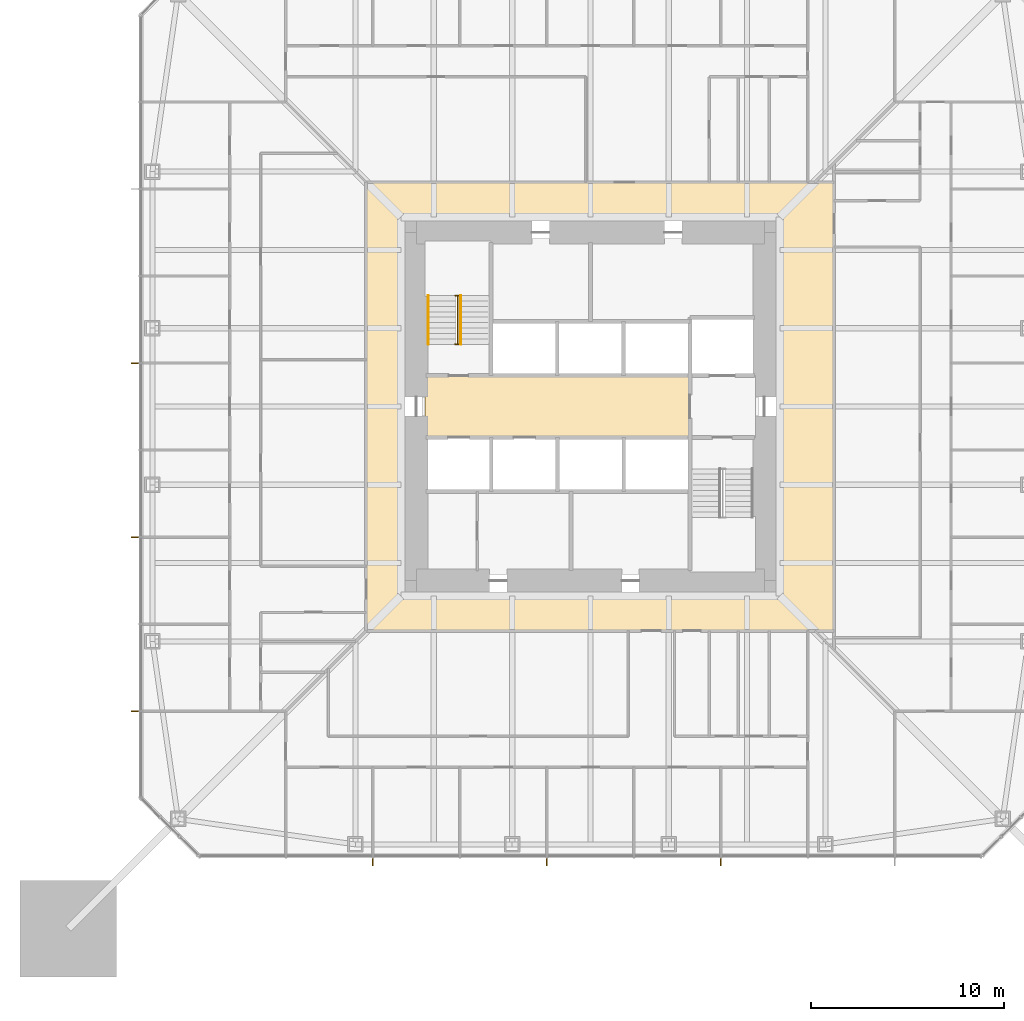
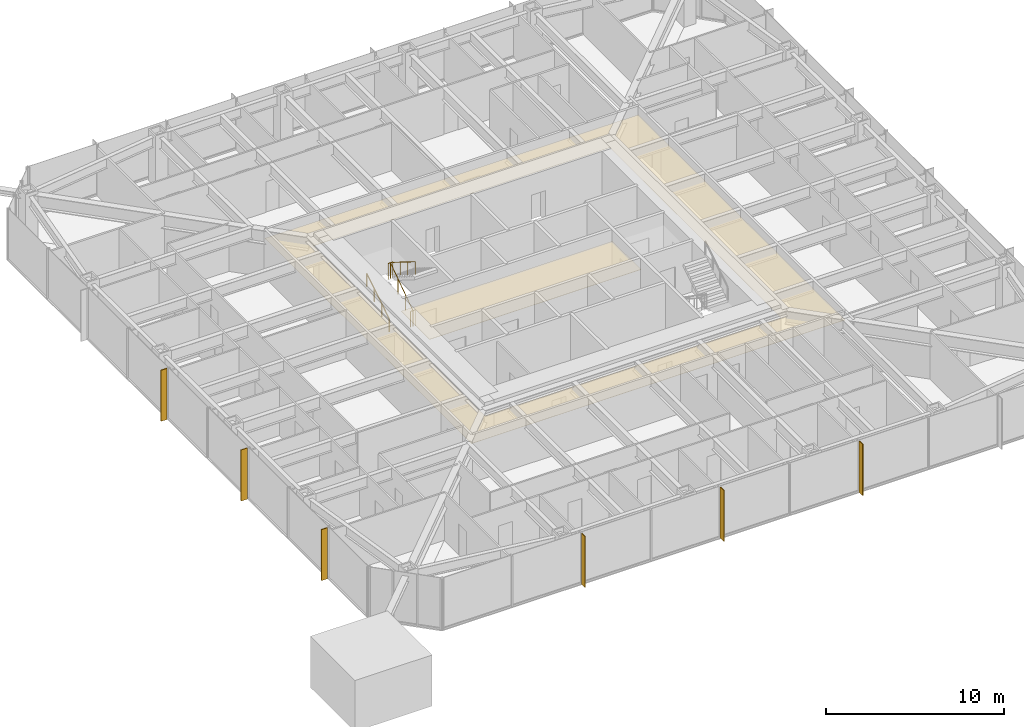
# One storey, part 23 of 26: 6 shading devices, 3 railings, 2 coverings.
"""IFC4 building model written with IfcOpenShell, lengths in metres."""

from ifc_helpers import new_model, si_unit, direction, frame, origin, origin_2d, place, context, subcontext, project, spatial, polyline, rectangle, circle, outline, extrude, material, layer, layer_set, constituent, constituent_set, type_object, element, save


model = new_model("IFC4")

# Units and contexts
model_context = context("Model", 3, precision=1e-05, world=origin(), true_north=direction((0.0, 1.0)))
body_context = subcontext(model_context, "Body", "Model", "MODEL_VIEW")
ifc_project = project(units=[si_unit("LENGTHUNIT", "METRE"), si_unit("AREAUNIT", "SQUARE_METRE"), si_unit("VOLUMEUNIT", "CUBIC_METRE"), si_unit("PLANEANGLEUNIT", "RADIAN"), si_unit("MASSUNIT", "GRAM", prefix="KILO")], contexts=[model_context])

# Site, building, storey
site_placement = place(None, origin())
site = spatial("IfcSite", under=ifc_project, at=site_placement, CompositionType="ELEMENT")
building_placement = place(site_placement, origin())
building = spatial("IfcBuilding", under=site, at=building_placement, Name="Iwan Alto Co-Living Towers", CompositionType="ELEMENT")
storey_placement = place(building_placement, frame((0.0, 0.0, 32.5)))
storey = spatial("IfcBuildingStorey", under=building, at=storey_placement, Name="L08", CompositionType="ELEMENT", Elevation=32.5)

# Covering
ifc_material_1 = material(Name="Mineral fibre acoustic tiles on steel grid", Category="steel")
ifc_layer_1 = layer(ifc_material_1, 0.02001953125)
ifc_layer_set_1 = layer_set([ifc_layer_1], Name="ACOUSTIC TILE CEILING 20")
covering_type_1 = type_object("IfcCoveringType", Name="ACOUSTIC TILE CEILING 20", PredefinedType="CEILING", material=ifc_layer_set_1)
covering_1_placement = place(storey_placement, frame((0.0, 0.0, 2.60009765625)))
element("IfcCovering", 1, at=covering_1_placement, inside=storey, type_object=covering_type_1, Name="Ceiling Lift lobby L08", PredefinedType="CEILING", context=body_context, shape_type="SweptSolid", body=[
    extrude(outline(polyline([(-8.550048828125, -1.60009765625), (-8.550048828125, 1.60009765625), (5.14990234375, 1.60009765625), (5.14990234375, -1.60009765625), (-8.550048828125, -1.60009765625)])), origin(), (0.0, 0.0, 1.0), 0.02001953125),
])

# Shading devices
ifc_material_2 = material(Name="Aluminium 6063-T6 bronze anodised", Category="aluminium")
ifc_layer_2 = layer(ifc_material_2, 0.050048828125)
ifc_layer_set_2 = layer_set([ifc_layer_2], Name="BRONZE FIN 50X400")
shading_device_type = type_object("IfcShadingDeviceType", Name="BRONZE FIN 50X400", PredefinedType="USERDEFINED", material=ifc_layer_set_2)
for number, where, z_axis, x_axis, name in (
    (2, (-11.25, -23.550048828125, 0.0), (0.0, 0.0, 1.0), (1.0, 0.0, 0.0), "Bronze fin L08"),
    (3, (-2.25, -23.550048828125, 0.0), (0.0, 0.0, 1.0), (1.0, 0.0, 0.0), "Bronze fin L08"),
    (4, (6.75, -23.550048828125, 0.0), (0.0, 0.0, 1.0), (1.0, 0.0, 0.0), "Bronze fin L08"),
    (5, (-23.550048828125, 2.25, 0.0), (0.0, 0.0, 1.0), (0.0, -1.0, 0.0), "Bronze fin L08"),
    (6, (-23.550048828125, -6.75, 0.0), (0.0, 0.0, 1.0), (0.0, -1.0, 0.0), "Bronze fin L08"),
    (7, (-23.550048828125, -15.75, 0.0), (0.0, 0.0, 1.0), (0.0, -1.0, 0.0), "Bronze fin L08"),
):
    element("IfcShadingDevice", number, at=place(storey_placement, frame(where, z_axis=z_axis, x_axis=x_axis)), inside=storey, type_object=shading_device_type, Name=name, ObjectType="LOUVER", PredefinedType="USERDEFINED", context=body_context, shape_type="SweptSolid", body=[
        extrude(rectangle(XDim=0.050048828125, YDim=0.39990234375, at=origin_2d()), origin(), (0.0, 0.0, 1.0), 3.5),
    ])

# Railings
ifc_material_3 = material(Name="Steel ASTM A500 Gr C", Category="steel")
ifc_constituent_1 = constituent(ifc_material_3, Name="Rails and posts", Category="Framing")
ifc_material_4 = material(Name="Steel ASTM A36", Category="steel")
ifc_constituent_2 = constituent(ifc_material_4, Name="Bar infill", Category="Infill")
ifc_constituent_set = constituent_set(constituents=[ifc_constituent_1, ifc_constituent_2], Name="STAIR GUARD 1100")
railing_type_1 = type_object("IfcRailingType", Name="STAIR GUARD 1100", PredefinedType="GUARDRAIL", material=ifc_constituent_set)
railing_1_placement = place(storey_placement, frame((-6.85009765625, 3.219970703125, 0.0)))
element("IfcRailing", 8, at=railing_1_placement, inside=storey, type_object=railing_type_1, Name="Stair T1-S1 well guard L08", PredefinedType="GUARDRAIL", context=body_context, shape_type="SweptSolid", body=[
    extrude(circle(Radius=0.02392578125, at=origin_2d()), frame((0.0, 0.0, 1.076171875), z_axis=(0.0, 0.821372036852, 0.570392826987), x_axis=(-1.0, 0.0, 0.0)), (0.0, 0.0, 1.0), 3.068115234375),
    extrude(circle(Radius=0.02392578125, at=origin_2d()), frame((-0.14990234375, 0.0, 1.076171875), z_axis=(1.0, 0.0, 0.0), x_axis=(0.0, 1.0, 0.0)), (0.0, 0.0, 1.0), 0.300048828125),
    extrude(circle(Radius=0.02392578125, at=origin_2d()), frame((-0.14990234375, 2.52001953125, 2.826171875), z_axis=(1.0, 0.0, 0.0), x_axis=(0.0, 1.0, 0.0)), (0.0, 0.0, 1.0), 0.300048828125),
    extrude(circle(Radius=0.02099609375, at=origin_2d()), origin(), (0.0, 0.0, 1.0), 1.052001953125),
    extrude(circle(Radius=0.02099609375, at=origin_2d()), frame((0.0, 0.840087890625, 0.583251953125)), (0.0, 0.0, 1.0), 1.052001953125),
    extrude(circle(Radius=0.02099609375, at=origin_2d()), frame((0.0, 1.679931640625, 1.166748046875)), (0.0, 0.0, 1.0), 1.052001953125),
    extrude(circle(Radius=0.02099609375, at=origin_2d()), frame((0.0, 2.52001953125, 1.75)), (0.0, 0.0, 1.0), 1.052001953125),
    extrude(circle(Radius=0.02099609375, at=origin_2d()), frame((-0.14990234375, 0.0, 0.0)), (0.0, 0.0, 1.0), 1.052001953125),
    extrude(circle(Radius=0.02099609375, at=origin_2d()), frame((0.150146484375, 0.0, 0.0)), (0.0, 0.0, 1.0), 1.052001953125),
    extrude(circle(Radius=0.02099609375, at=origin_2d()), frame((-0.14990234375, 2.52001953125, 1.75)), (0.0, 0.0, 1.0), 1.052001953125),
    extrude(circle(Radius=0.02099609375, at=origin_2d()), frame((0.150146484375, 2.52001953125, 1.75)), (0.0, 0.0, 1.0), 1.052001953125),
])
ifc_material_5 = material(Name="Steel ASTM A500 Gr C", Category="steel")
railing_type_2 = type_object("IfcRailingType", Name="STAIR HANDRAIL 900", PredefinedType="HANDRAIL", material=ifc_material_5)
railing_2_placement = place(storey_placement, frame((-8.3798828125, 3.219970703125, 0.175048828125)))
element("IfcRailing", 9, at=railing_2_placement, inside=storey, type_object=railing_type_2, Name="Stair T1-S1 handrail 1 L08", PredefinedType="HANDRAIL", context=body_context, shape_type="SweptSolid", body=[
    extrude(circle(Radius=0.02392578125, at=origin_2d()), frame((0.0, 0.0, 0.8759765625), z_axis=(0.0, 0.848007534815, 0.529984170421), x_axis=(-1.0, 0.0, 0.0)), (0.0, 0.0, 1.0), 2.9716796875),
    extrude(circle(Radius=0.02099609375, at=origin_2d()), origin(), (0.0, 0.0, 1.0), 0.851806640625),
    extrude(circle(Radius=0.02099609375, at=origin_2d()), frame((0.0, 0.840087890625, 0.52490234375)), (0.0, 0.0, 1.0), 0.851806640625),
    extrude(circle(Radius=0.02099609375, at=origin_2d()), frame((0.0, 1.679931640625, 1.050048828125)), (0.0, 0.0, 1.0), 0.851806640625),
    extrude(circle(Radius=0.02099609375, at=origin_2d()), frame((0.0, 2.52001953125, 1.574951171875)), (0.0, 0.0, 1.0), 0.851806640625),
])
railing_3_placement = place(storey_placement, frame((-6.699951171875, 5.739990234375, 1.925048828125)))
element("IfcRailing", 10, at=railing_3_placement, inside=storey, type_object=railing_type_2, Name="Stair T1-S1 handrail 2 L08", PredefinedType="HANDRAIL", context=body_context, shape_type="SweptSolid", body=[
    extrude(circle(Radius=0.02392578125, at=origin_2d()), frame((0.0, 0.0, 0.8759765625), z_axis=(0.0, -0.848007534815, 0.529984170421), x_axis=(1.0, 0.0, 0.0)), (0.0, 0.0, 1.0), 2.9716796875),
    extrude(circle(Radius=0.02099609375, at=origin_2d()), origin(), (0.0, 0.0, 1.0), 0.851806640625),
    extrude(circle(Radius=0.02099609375, at=origin_2d()), frame((0.0, -0.840087890625, 0.52490234375)), (0.0, 0.0, 1.0), 0.851806640625),
    extrude(circle(Radius=0.02099609375, at=origin_2d()), frame((0.0, -1.679931640625, 1.050048828125)), (0.0, 0.0, 1.0), 0.851806640625),
    extrude(circle(Radius=0.02099609375, at=origin_2d()), frame((0.0, -2.52001953125, 1.574951171875)), (0.0, 0.0, 1.0), 0.851806640625),
])

# Covering
ifc_material_6 = material(Name="Gypsum plasterboard on steel grid", Category="steel")
ifc_layer_3 = layer(ifc_material_6, 0.014892578125)
ifc_layer_set_3 = layer_set([ifc_layer_3], Name="SUSPENDED PLASTERBOARD CEILING 15")
covering_type_2 = type_object("IfcCoveringType", Name="SUSPENDED PLASTERBOARD CEILING 15", PredefinedType="CEILING", material=ifc_layer_set_3)
covering_2_placement = place(storey_placement, frame((0.0, 0.0, 2.60009765625)))
element("IfcCovering", 11, at=covering_2_placement, inside=storey, type_object=covering_type_2, Name="Ceiling Corridor L08", PredefinedType="CEILING", context=body_context, shape_type="SweptSolid", body=[
    extrude(outline(polyline([(-11.60009765625, 11.60009765625), (12.60009765625, 11.60009765625), (12.60009765625, -11.60009765625), (-11.60009765625, -11.60009765625), (-11.60009765625, 11.60009765625)]), holes=[polyline([(-9.60009765625, 9.60009765625), (-9.60009765625, -9.60009765625), (9.60009765625, -9.60009765625), (9.60009765625, 9.60009765625), (-9.60009765625, 9.60009765625)])]), origin(), (0.0, 0.0, 1.0), 0.014892578125),
])

save(model, "model.ifc")
